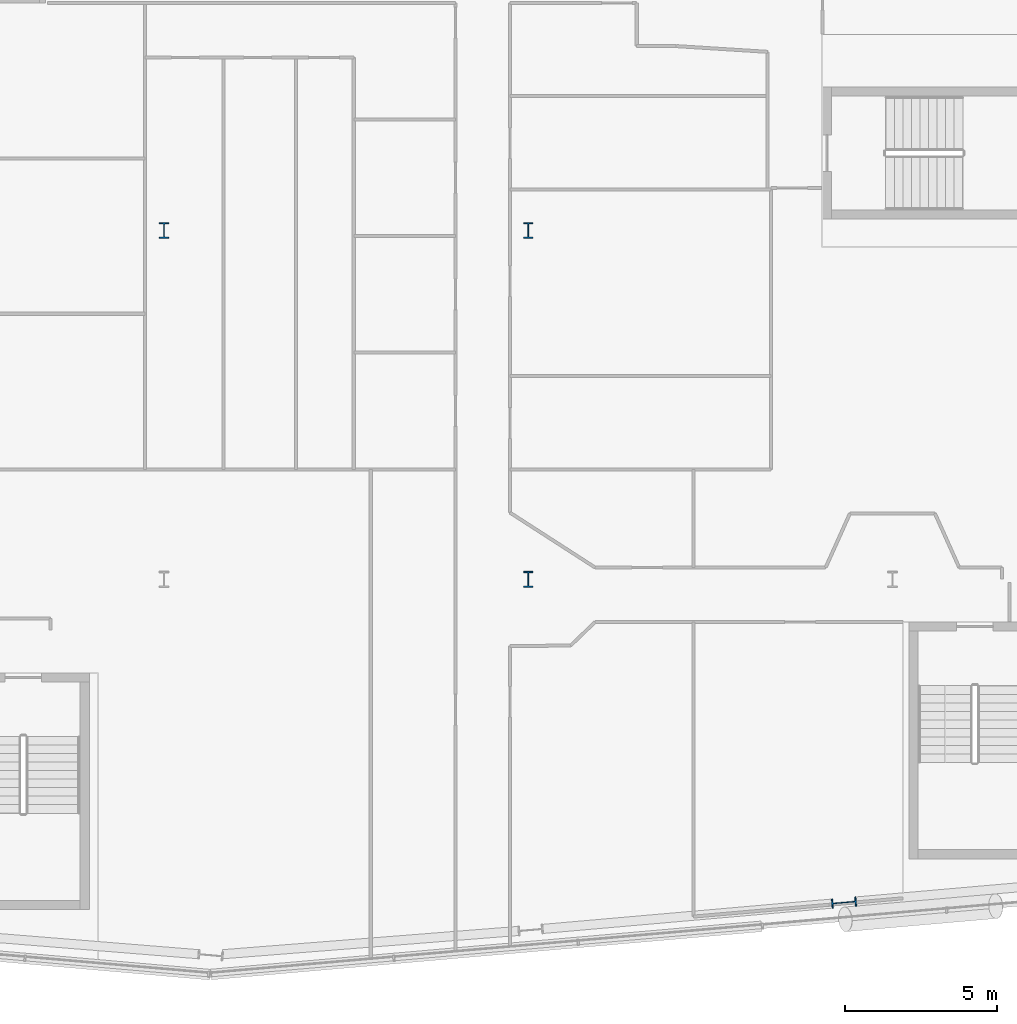
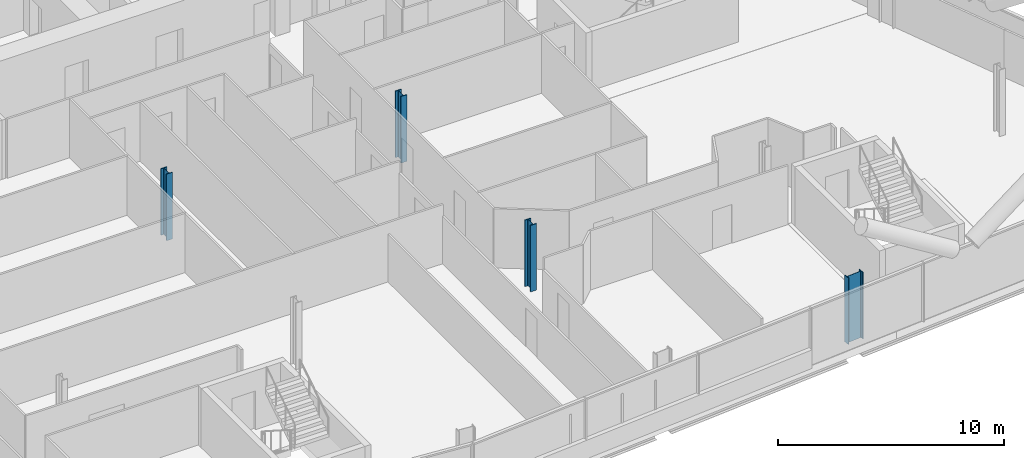
# One storey, part 2 of 27: 4 columns.
"""IFC4 building model written with IfcOpenShell, lengths in metres."""

from ifc_helpers import new_model, si_unit, direction, frame, origin, origin_2d, place, context, subcontext, project, spatial, i_section, extrude, material, material_profile, profile_set, type_object, element, save


model = new_model("IFC4")

# Units and contexts
model_context = context("Model", 3, precision=1e-05, world=origin(), true_north=direction((0.0, 1.0)))
body_context = subcontext(model_context, "Body", "Model", "MODEL_VIEW")
ifc_project = project(units=[si_unit("LENGTHUNIT", "METRE"), si_unit("AREAUNIT", "SQUARE_METRE"), si_unit("VOLUMEUNIT", "CUBIC_METRE"), si_unit("PLANEANGLEUNIT", "RADIAN"), si_unit("MASSUNIT", "GRAM", prefix="KILO")], contexts=[model_context])

# Site, building, storey
site_placement = place(None, origin())
site = spatial("IfcSite", under=ifc_project, at=site_placement, CompositionType="ELEMENT")
building_placement = place(site_placement, origin())
building = spatial("IfcBuilding", under=site, at=building_placement, Name="Wharfspan Tower", CompositionType="ELEMENT")
storey_placement = place(building_placement, frame((0.0, 0.0, 111.100098)))
storey = spatial("IfcBuildingStorey", under=building, at=storey_placement, Name="L25", CompositionType="ELEMENT", Elevation=111.100098)

# Columns
ifc_material = material(Name="Steel S355J2", Category="steel")
ifc_material_profile_1 = material_profile(ifc_material, i_section(OverallWidth=0.305908, OverallDepth=0.523926, WebThickness=0.020996, FlangeThickness=0.040039, FilletRadius=0.0271, at=origin_2d()))
ifc_profile_set_1 = profile_set([ifc_material_profile_1], Name="Steel S355J2")
column_type_1 = type_object("IfcColumnType", Name="Column HEM 500", PredefinedType="COLUMN", material=ifc_profile_set_1)
for number, where, z_axis, x_axis, name in (
    (1, (60.0, 11.5, 0.0), (0.0, 0.0, 1.0), (1.0, 0.0, 0.0), "Interior column I.1.5 L25"),
    (2, (48.0, 23.0, 0.0), (0.0, 0.0, 1.0), (1.0, 0.0, 0.0), "Interior column I.2.3 L25"),
    (3, (60.0, 23.0, 0.0), (0.0, 0.0, 1.0), (1.0, 0.0, 0.0), "Interior column I.2.4 L25"),
):
    element("IfcColumn", number, at=place(storey_placement, frame(where, z_axis=z_axis, x_axis=x_axis)), inside=storey, type_object=column_type_1, Name=name, PredefinedType="COLUMN", context=body_context, shape_type="SweptSolid", body=[
        extrude(i_section(OverallWidth=0.305908, OverallDepth=0.523926, WebThickness=0.020996, FlangeThickness=0.040039, FilletRadius=0.0271, at=origin_2d()), origin(), (0.0, 0.0, 1.0), 3.599854),
    ])
ifc_material_profile_2 = material_profile(ifc_material, i_section(OverallWidth=0.302979, OverallDepth=0.813965, WebThickness=0.020996, FlangeThickness=0.040039, FilletRadius=0.030029, at=origin_2d()))
ifc_profile_set_2 = profile_set([ifc_material_profile_2], Name="Steel S355J2")
column_type_2 = type_object("IfcColumnType", Name="Column HEM 800", PredefinedType="COLUMN", material=ifc_profile_set_2)
column_placement = place(storey_placement, frame((70.404053, 0.852783, 0.0), z_axis=(0.0, 0.0, 1.0), x_axis=(0.087156, -0.996198, 0.0)))
element("IfcColumn", 4, at=column_placement, inside=storey, type_object=column_type_2, Name="Perimeter column PS2.2 L25", PredefinedType="COLUMN", context=body_context, shape_type="SweptSolid", body=[
    extrude(i_section(OverallWidth=0.302979, OverallDepth=0.813965, WebThickness=0.020996, FlangeThickness=0.040039, FilletRadius=0.030029, at=origin_2d()), origin(), (0.0, 0.0, 1.0), 3.599854),
])

save(model, "model.ifc")
